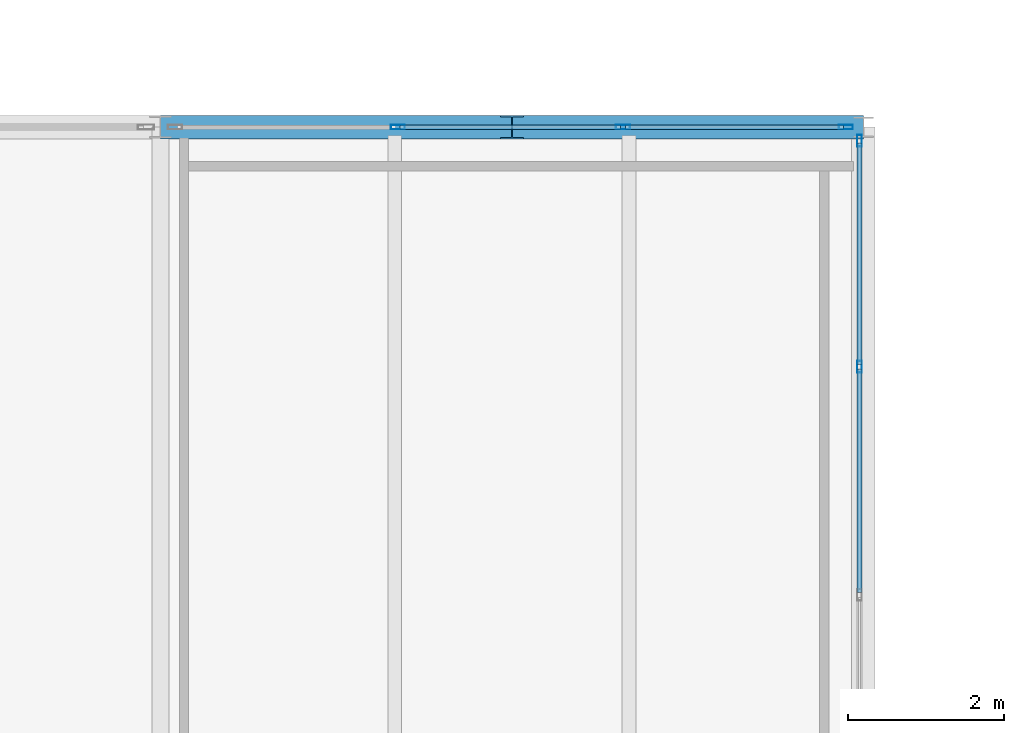
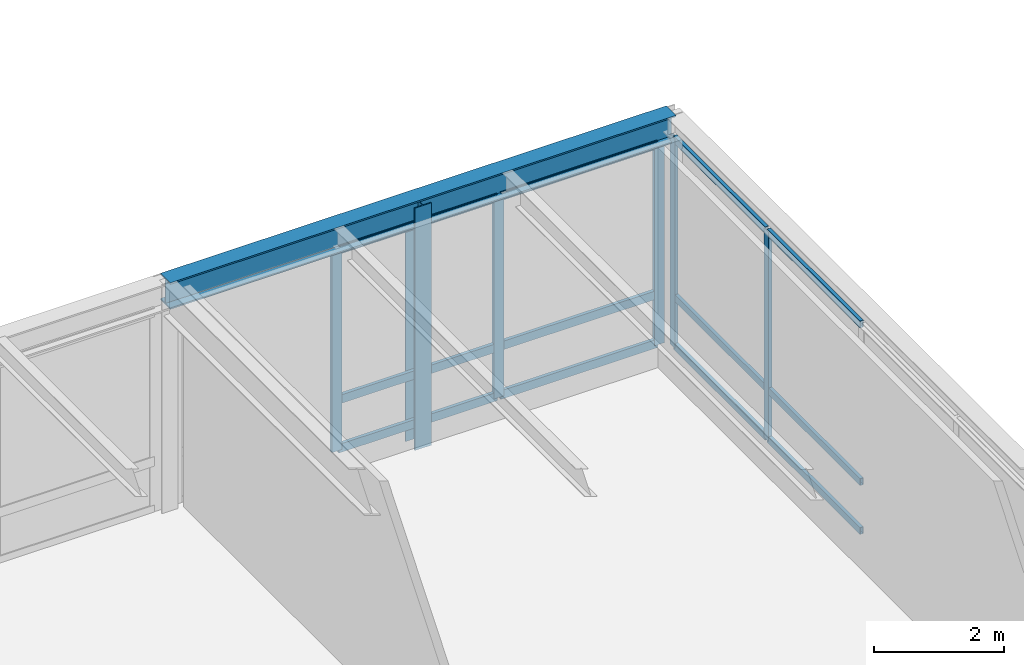
# One storey, part 73 of 115: 18 members, 1 beam, 2 elements without a shape of their own.
"""IFC4 building model written with IfcOpenShell, lengths in metres."""

from ifc_helpers import new_model, si_unit, direction, frame, origin, origin_2d, place, context, subcontext, project, spatial, hollow_rectangle, i_section, extrude, material, layer, layer_set, material_profile, profile_set, type_object, element, aggregate, save


model = new_model("IFC4")

# Units and contexts
model_context = context("Model", 3, precision=1e-05, world=origin(), true_north=direction((0.0, 1.0)))
body_context = subcontext(model_context, "Body", "Model", "MODEL_VIEW")
ifc_project = project(units=[si_unit("LENGTHUNIT", "METRE"), si_unit("AREAUNIT", "SQUARE_METRE"), si_unit("VOLUMEUNIT", "CUBIC_METRE"), si_unit("PLANEANGLEUNIT", "RADIAN"), si_unit("MASSUNIT", "GRAM", prefix="KILO")], contexts=[model_context])

# Site, building, storey
site_placement = place(None, origin())
site = spatial("IfcSite", under=ifc_project, at=site_placement, CompositionType="ELEMENT")
building_placement = place(site_placement, origin())
building = spatial("IfcBuilding", under=site, at=building_placement, Name="Montelvaro Courts of Justice", CompositionType="ELEMENT")
storey_placement = place(building_placement, frame((0.0, 0.0, 9.89990234375)))
storey = spatial("IfcBuildingStorey", under=building, at=storey_placement, Name="L02", CompositionType="ELEMENT", Elevation=9.89990234375)

# Beam
ifc_material_1 = material(Name="Steel S355", Category="steel")
ifc_material_profile_1 = material_profile(ifc_material_1, i_section(OverallWidth=0.300048828125, OverallDepth=0.5, WebThickness=0.014404296875, FlangeThickness=0.028076171875, at=origin_2d()), Name="HEB 500")
ifc_profile_set_1 = profile_set([ifc_material_profile_1], Name="Steel S355")
beam_type = type_object("IfcBeamType", Name="Beam_HEB500", PredefinedType="USERDEFINED", material=ifc_profile_set_1)
beam_placement = place(storey_placement, frame((72.0, 108.0, 4.050048828125), z_axis=(1.0, 0.0, 0.0), x_axis=(0.0, 1.0, 0.0)))
element("IfcBeam", 1, at=beam_placement, inside=storey, type_object=beam_type, Name="Beam B-25 L02", ObjectType="GIRDER", PredefinedType="USERDEFINED", context=body_context, shape_type="SweptSolid", body=[
    extrude(i_section(OverallWidth=0.300048828125, OverallDepth=0.5, WebThickness=0.014404296875, FlangeThickness=0.028076171875, at=origin_2d()), origin(), (0.0, 0.0, 1.0), 9.0),
])

# Curtain wall, members
ifc_material_2 = material(Name="Anodised aluminium EN AW-6063", Category="aluminium")
ifc_layer_1 = layer(ifc_material_2, 0.159912109375)
ifc_layer_set_1 = layer_set([ifc_layer_1], Name="Anodised aluminium EN AW-6063")
curtain_wall_type_1 = type_object("IfcCurtainWallType", Name="CurtainWall_24_1169x418", PredefinedType="USERDEFINED", material=ifc_layer_set_1)
curtain_wall_1_placement = place(storey_placement, origin())
curtain_wall_1 = element("IfcCurtainWall", 2, at=curtain_wall_1_placement, inside=storey, type_object=curtain_wall_type_1, Name="Curtain Wall CW-24 (L02)", ObjectType="CURTAIN WALL", PredefinedType="USERDEFINED")
ifc_material_profile_2 = material_profile(ifc_material_2, hollow_rectangle(XDim=0.06005859375, YDim=0.14990234375, WallThickness=0.00390625, at=origin_2d()), Name="ALU-M 60x150")
ifc_profile_set_2 = profile_set([ifc_material_profile_2], Name="Anodised aluminium EN AW-6063")
member_type_1 = type_object("IfcMemberType", Name="CurtainWall_Mullion_60x150", PredefinedType="MULLION", material=ifc_profile_set_2)
member_1_placement = place(storey_placement, frame((80.949951171875, 104.9326171875, 0.0), z_axis=(0.0, 0.0, 1.0), x_axis=(-1.0, 0.0, 0.0)))
member_1 = element("IfcMember", 3, at=member_1_placement, type_object=member_type_1, Name="CW-24 mullion 4", PredefinedType="MULLION", context=body_context, shape_type="SweptSolid", body=[
    extrude(hollow_rectangle(XDim=0.06005859375, YDim=0.14990234375, WallThickness=0.00390625, at=origin_2d()), origin(), (0.0, 0.0, 1.0), 3.945068359375),
])
member_2_placement = place(storey_placement, frame((80.949951171875, 107.824951171875, 0.0), z_axis=(0.0, 0.0, 1.0), x_axis=(-1.0, 0.0, 0.0)))
member_2 = element("IfcMember", 4, at=member_2_placement, type_object=member_type_1, Name="CW-24 mullion 5", PredefinedType="MULLION", context=body_context, shape_type="SweptSolid", body=[
    extrude(hollow_rectangle(XDim=0.06005859375, YDim=0.14990234375, WallThickness=0.00390625, at=origin_2d()), origin(), (0.0, 0.0, 1.0), 3.945068359375),
])

ifc_layer_2 = layer(ifc_material_2, 0.159912109375)
ifc_layer_set_2 = layer_set([ifc_layer_2], Name="Anodised aluminium EN AW-6063")
curtain_wall_type_2 = type_object("IfcCurtainWallType", Name="CurtainWall_14_867x418", PredefinedType="USERDEFINED", material=ifc_layer_set_2)
curtain_wall_2_placement = place(storey_placement, origin())
curtain_wall_2 = element("IfcCurtainWall", 5, at=curtain_wall_2_placement, inside=storey, type_object=curtain_wall_type_2, Name="Curtain Wall CW-14 (L02)", ObjectType="CURTAIN WALL", PredefinedType="USERDEFINED")
ifc_material_profile_3 = material_profile(ifc_material_2, hollow_rectangle(XDim=0.06005859375, YDim=0.179931640625, WallThickness=0.00439453125, at=origin_2d()), Name="ALU-M 60x180")
ifc_profile_set_3 = profile_set([ifc_material_profile_3], Name="Anodised aluminium EN AW-6063")
member_type_2 = type_object("IfcMemberType", Name="CurtainWall_Mullion_60x180", PredefinedType="MULLION", material=ifc_profile_set_3)
member_3_placement = place(storey_placement, frame((80.77490234375, 108.0, 0.0), z_axis=(0.0, 0.0, 1.0), x_axis=(0.0, -1.0, 0.0)))
member_3 = element("IfcMember", 6, at=member_3_placement, type_object=member_type_2, Name="CW-14 mullion 1", PredefinedType="MULLION", context=body_context, shape_type="SweptSolid", body=[
    extrude(hollow_rectangle(XDim=0.06005859375, YDim=0.179931640625, WallThickness=0.00439453125, at=origin_2d()), origin(), (0.0, 0.0, 1.0), 3.795166015625),
])
member_4_placement = place(storey_placement, frame((77.921630859375, 108.0, 0.0), z_axis=(0.0, 0.0, 1.0), x_axis=(0.0, -1.0, 0.0)))
member_4 = element("IfcMember", 7, at=member_4_placement, type_object=member_type_2, Name="CW-14 mullion 2", PredefinedType="MULLION", context=body_context, shape_type="SweptSolid", body=[
    extrude(hollow_rectangle(XDim=0.06005859375, YDim=0.179931640625, WallThickness=0.00439453125, at=origin_2d()), origin(), (0.0, 0.0, 1.0), 3.795166015625),
])
member_5_placement = place(storey_placement, frame((75.038330078125, 108.0, 0.0), z_axis=(0.0, 0.0, 1.0), x_axis=(0.0, -1.0, 0.0)))
member_5 = element("IfcMember", 8, at=member_5_placement, type_object=member_type_2, Name="CW-14 mullion 3", PredefinedType="MULLION", context=body_context, shape_type="SweptSolid", body=[
    extrude(hollow_rectangle(XDim=0.06005859375, YDim=0.179931640625, WallThickness=0.00439453125, at=origin_2d()), origin(), (0.0, 0.0, 1.0), 3.795166015625),
])

# Member
ifc_material_profile_4 = material_profile(ifc_material_2, hollow_rectangle(XDim=0.06005859375, YDim=0.1298828125, WallThickness=0.00390625, at=origin_2d()), Name="ALU-T 60x130")
ifc_profile_set_4 = profile_set([ifc_material_profile_4], Name="Anodised aluminium EN AW-6063")
member_type_3 = type_object("IfcMemberType", Name="CurtainWall_Transom_60x130", PredefinedType="USERDEFINED", material=ifc_profile_set_4)
member_6_placement = place(storey_placement, frame((80.949951171875, 102.0400390625, 0.030029296875), z_axis=(0.0, 1.0, 0.0), x_axis=(-1.0, 0.0, 0.0)))
member_6 = element("IfcMember", 9, at=member_6_placement, type_object=member_type_3, Name="CW-24 transom 3.1", ObjectType="TRANSOM", PredefinedType="USERDEFINED", context=body_context, shape_type="SweptSolid", body=[
    extrude(hollow_rectangle(XDim=0.06005859375, YDim=0.1298828125, WallThickness=0.00390625, at=origin_2d()), origin(), (0.0, 0.0, 1.0), 2.862548828125),
])

member_7_placement = place(storey_placement, frame((80.949951171875, 102.0400390625, 0.9501953125), z_axis=(0.0, 1.0, 0.0), x_axis=(-1.0, 0.0, 0.0)))
member_7 = element("IfcMember", 10, at=member_7_placement, type_object=member_type_3, Name="CW-24 transom 3.2", ObjectType="TRANSOM", PredefinedType="USERDEFINED", context=body_context, shape_type="SweptSolid", body=[
    extrude(hollow_rectangle(XDim=0.06005859375, YDim=0.1298828125, WallThickness=0.00390625, at=origin_2d()), origin(), (0.0, 0.0, 1.0), 2.862548828125),
])

member_8_placement = place(storey_placement, frame((80.949951171875, 102.0400390625, 3.9150390625), z_axis=(0.0, 1.0, 0.0), x_axis=(-1.0, 0.0, 0.0)))
member_8 = element("IfcMember", 11, at=member_8_placement, type_object=member_type_3, Name="CW-24 transom 3.3", ObjectType="TRANSOM", PredefinedType="USERDEFINED", context=body_context, shape_type="SweptSolid", body=[
    extrude(hollow_rectangle(XDim=0.06005859375, YDim=0.1298828125, WallThickness=0.00390625, at=origin_2d()), origin(), (0.0, 0.0, 1.0), 2.862548828125),
])

member_9_placement = place(storey_placement, frame((80.949951171875, 104.96240234375, 0.030029296875), z_axis=(0.0, 1.0, 0.0), x_axis=(-1.0, 0.0, 0.0)))
member_9 = element("IfcMember", 12, at=member_9_placement, type_object=member_type_3, Name="CW-24 transom 4.1", ObjectType="TRANSOM", PredefinedType="USERDEFINED", context=body_context, shape_type="SweptSolid", body=[
    extrude(hollow_rectangle(XDim=0.06005859375, YDim=0.1298828125, WallThickness=0.00390625, at=origin_2d()), origin(), (0.0, 0.0, 1.0), 2.83251953125),
])

member_10_placement = place(storey_placement, frame((80.949951171875, 104.96240234375, 0.9501953125), z_axis=(0.0, 1.0, 0.0), x_axis=(-1.0, 0.0, 0.0)))
member_10 = element("IfcMember", 13, at=member_10_placement, type_object=member_type_3, Name="CW-24 transom 4.2", ObjectType="TRANSOM", PredefinedType="USERDEFINED", context=body_context, shape_type="SweptSolid", body=[
    extrude(hollow_rectangle(XDim=0.06005859375, YDim=0.1298828125, WallThickness=0.00390625, at=origin_2d()), origin(), (0.0, 0.0, 1.0), 2.83251953125),
])

member_11_placement = place(storey_placement, frame((80.949951171875, 104.96240234375, 3.9150390625), z_axis=(0.0, 1.0, 0.0), x_axis=(-1.0, 0.0, 0.0)))
member_11 = element("IfcMember", 14, at=member_11_placement, type_object=member_type_3, Name="CW-24 transom 4.3", ObjectType="TRANSOM", PredefinedType="USERDEFINED", context=body_context, shape_type="SweptSolid", body=[
    extrude(hollow_rectangle(XDim=0.06005859375, YDim=0.1298828125, WallThickness=0.00390625, at=origin_2d()), origin(), (0.0, 0.0, 1.0), 2.83251953125),
])

aggregate(curtain_wall_1, [member_1, member_2, member_6, member_7, member_8, member_9, member_10, member_11])

ifc_material_profile_5 = material_profile(ifc_material_2, hollow_rectangle(XDim=0.06005859375, YDim=0.159912109375, WallThickness=0.00439453125, at=origin_2d()), Name="ALU-T 60x160")
ifc_profile_set_5 = profile_set([ifc_material_profile_5], Name="Anodised aluminium EN AW-6063")
member_type_4 = type_object("IfcMemberType", Name="CurtainWall_Transom_60x160", PredefinedType="USERDEFINED", material=ifc_profile_set_5)
member_12_placement = place(storey_placement, frame((80.7451171875, 108.0, 0.030029296875), z_axis=(-1.0, 0.0, 0.0), x_axis=(0.0, -1.0, 0.0)))
member_12 = element("IfcMember", 15, at=member_12_placement, type_object=member_type_4, Name="CW-14 transom 1.1", ObjectType="TRANSOM", PredefinedType="USERDEFINED", context=body_context, shape_type="SweptSolid", body=[
    extrude(hollow_rectangle(XDim=0.06005859375, YDim=0.159912109375, WallThickness=0.00439453125, at=origin_2d()), origin(), (0.0, 0.0, 1.0), 2.79345703125),
])

member_13_placement = place(storey_placement, frame((80.7451171875, 108.0, 0.9501953125), z_axis=(-1.0, 0.0, 0.0), x_axis=(0.0, -1.0, 0.0)))
member_13 = element("IfcMember", 16, at=member_13_placement, type_object=member_type_4, Name="CW-14 transom 1.2", ObjectType="TRANSOM", PredefinedType="USERDEFINED", context=body_context, shape_type="SweptSolid", body=[
    extrude(hollow_rectangle(XDim=0.06005859375, YDim=0.159912109375, WallThickness=0.00439453125, at=origin_2d()), origin(), (0.0, 0.0, 1.0), 2.79345703125),
])

member_14_placement = place(storey_placement, frame((80.7451171875, 108.0, 3.76513671875), z_axis=(-1.0, 0.0, 0.0), x_axis=(0.0, -1.0, 0.0)))
member_14 = element("IfcMember", 17, at=member_14_placement, type_object=member_type_4, Name="CW-14 transom 1.3", ObjectType="TRANSOM", PredefinedType="USERDEFINED", context=body_context, shape_type="SweptSolid", body=[
    extrude(hollow_rectangle(XDim=0.06005859375, YDim=0.159912109375, WallThickness=0.00439453125, at=origin_2d()), origin(), (0.0, 0.0, 1.0), 2.79345703125),
])

member_15_placement = place(storey_placement, frame((77.8916015625, 108.0, 0.030029296875), z_axis=(-1.0, 0.0, 0.0), x_axis=(0.0, -1.0, 0.0)))
member_15 = element("IfcMember", 18, at=member_15_placement, type_object=member_type_4, Name="CW-14 transom 2.1", ObjectType="TRANSOM", PredefinedType="USERDEFINED", context=body_context, shape_type="SweptSolid", body=[
    extrude(hollow_rectangle(XDim=0.06005859375, YDim=0.159912109375, WallThickness=0.00439453125, at=origin_2d()), origin(), (0.0, 0.0, 1.0), 2.8232421875),
])

member_16_placement = place(storey_placement, frame((77.8916015625, 108.0, 0.9501953125), z_axis=(-1.0, 0.0, 0.0), x_axis=(0.0, -1.0, 0.0)))
member_16 = element("IfcMember", 19, at=member_16_placement, type_object=member_type_4, Name="CW-14 transom 2.2", ObjectType="TRANSOM", PredefinedType="USERDEFINED", context=body_context, shape_type="SweptSolid", body=[
    extrude(hollow_rectangle(XDim=0.06005859375, YDim=0.159912109375, WallThickness=0.00439453125, at=origin_2d()), origin(), (0.0, 0.0, 1.0), 2.8232421875),
])

member_17_placement = place(storey_placement, frame((77.8916015625, 108.0, 3.76513671875), z_axis=(-1.0, 0.0, 0.0), x_axis=(0.0, -1.0, 0.0)))
member_17 = element("IfcMember", 20, at=member_17_placement, type_object=member_type_4, Name="CW-14 transom 2.3", ObjectType="TRANSOM", PredefinedType="USERDEFINED", context=body_context, shape_type="SweptSolid", body=[
    extrude(hollow_rectangle(XDim=0.06005859375, YDim=0.159912109375, WallThickness=0.00439453125, at=origin_2d()), origin(), (0.0, 0.0, 1.0), 2.8232421875),
])

aggregate(curtain_wall_2, [member_3, member_4, member_5, member_12, member_13, member_14, member_15, member_16, member_17])

ifc_material_profile_6 = material_profile(ifc_material_1, i_section(OverallWidth=0.300048828125, OverallDepth=0.300048828125, WebThickness=0.010986328125, FlangeThickness=0.01904296875, at=origin_2d()), Name="HEB 300")
ifc_profile_set_6 = profile_set([ifc_material_profile_6], Name="Steel S355")
member_type_5 = type_object("IfcMemberType", Name="Mem_HEB300_Post", PredefinedType="POST", material=ifc_profile_set_6)
member_18_placement = place(storey_placement, frame((76.5, 108.0, -0.3798828125), z_axis=(0.0, 0.0, 1.0), x_axis=(1.0, 0.0, 0.0)))
element("IfcMember", 21, at=member_18_placement, inside=storey, type_object=member_type_5, Name="Ceremonial Clerestory Structural Post MP-02-06", PredefinedType="POST", context=body_context, shape_type="SweptSolid", body=[
    extrude(i_section(OverallWidth=0.300048828125, OverallDepth=0.300048828125, WebThickness=0.010986328125, FlangeThickness=0.01904296875, at=origin_2d()), origin(), (0.0, 0.0, 1.0), 4.56005859375),
])

save(model, "model.ifc")
